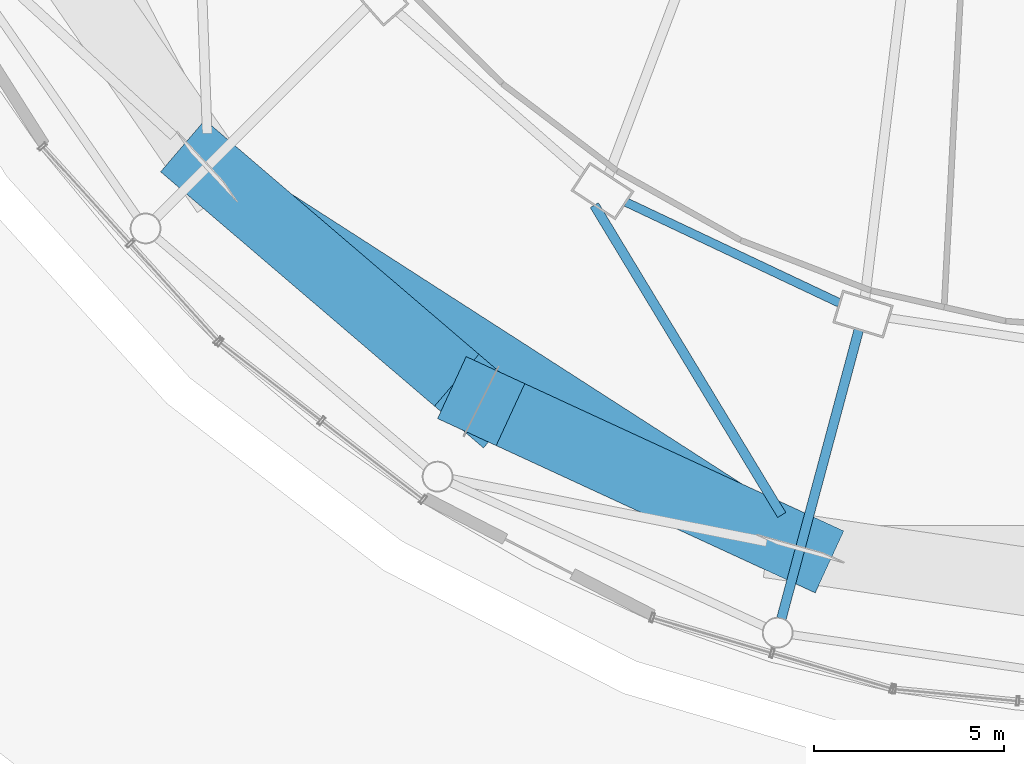
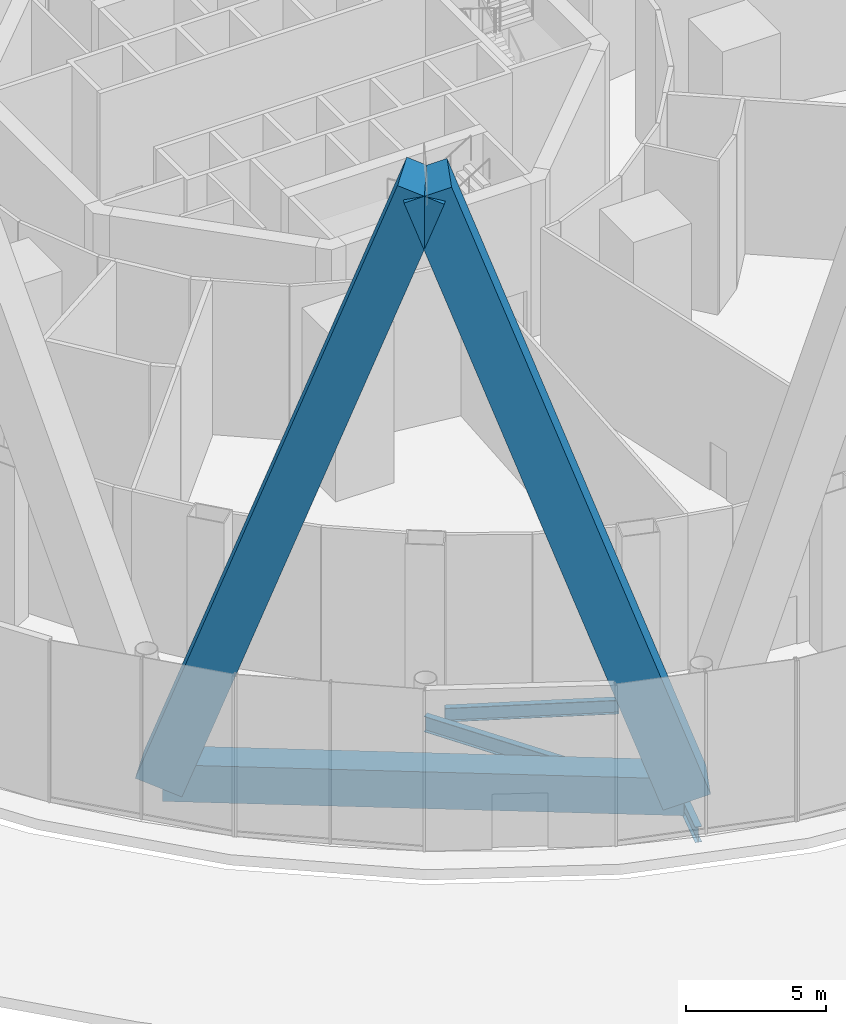
# One storey, part 5 of 67: 3 beams, 3 members.
"""IFC4 building model written with IfcOpenShell, lengths in metres."""

from ifc_helpers import new_model, si_unit, direction, frame, origin, origin_2d, place, context, subcontext, project, spatial, rectangle, i_section, extrude, material, material_profile, profile_set, type_object, element, save


model = new_model("IFC4")

# Units and contexts
model_context = context("Model", 3, precision=1e-05, world=origin(), true_north=direction((0.0, 1.0)))
body_context = subcontext(model_context, "Body", "Model", "MODEL_VIEW")
ifc_project = project(units=[si_unit("LENGTHUNIT", "METRE"), si_unit("AREAUNIT", "SQUARE_METRE"), si_unit("VOLUMEUNIT", "CUBIC_METRE"), si_unit("PLANEANGLEUNIT", "RADIAN"), si_unit("MASSUNIT", "GRAM", prefix="KILO")], contexts=[model_context])

# Site, building, storey
site_placement = place(None, origin())
site = spatial("IfcSite", under=ifc_project, at=site_placement, CompositionType="ELEMENT")
building_placement = place(site_placement, origin())
building = spatial("IfcBuilding", under=site, at=building_placement, Name="Nagisa Residences", CompositionType="ELEMENT")
storey_placement = place(building_placement, origin())
storey = spatial("IfcBuildingStorey", under=building, at=storey_placement, Name="L00", CompositionType="ELEMENT", Elevation=0.0)

# Beams
ifc_material_1 = material(Name="Steel ASTM A572 Gr 50", Category="steel")
ifc_material_profile_1 = material_profile(ifc_material_1, i_section(OverallWidth=0.2529296875, OverallDepth=0.677978515625, WebThickness=0.01171875, FlangeThickness=0.016357421875, at=origin_2d()), Name="W690x125")
ifc_profile_set_1 = profile_set([ifc_material_profile_1], Name="Steel ASTM A572 Gr 50")
beam_type_1 = type_object("IfcBeamType", Name="Atrium outer beam W690x125", PredefinedType="BEAM", material=ifc_profile_set_1)
beam_1_placement = place(storey_placement, frame((-10.865478515625, -28.518798828125, -0.739013671875), z_axis=(0.517608225474, -0.855617744628, 0.0), x_axis=(0.855617744628, 0.517608225474, 0.0)))
element("IfcBeam", 1, at=beam_1_placement, inside=storey, type_object=beam_type_1, Name="beam:L00:er17a", PredefinedType="BEAM", context=body_context, shape_type="SweptSolid", body=[
    extrude(i_section(OverallWidth=0.2529296875, OverallDepth=0.677978515625, WebThickness=0.01171875, FlangeThickness=0.016357421875, at=origin_2d()), origin(), (0.0, 0.0, 1.0), 9.55224609375),
])
beam_2_placement = place(storey_placement, frame((-3.8876953125, -31.80810546875, -0.739013671875), z_axis=(-0.258809356376, -0.965928422324, 0.0), x_axis=(0.965928422324, -0.258809356376, 0.0)))
element("IfcBeam", 2, at=beam_2_placement, inside=storey, type_object=beam_type_1, Name="beam:L00:er18", PredefinedType="BEAM", context=body_context, shape_type="SweptSolid", body=[
    extrude(i_section(OverallWidth=0.2529296875, OverallDepth=0.677978515625, WebThickness=0.01171875, FlangeThickness=0.016357421875, at=origin_2d()), origin(), (0.0, 0.0, 1.0), 7.88330078125),
])

# Members
ifc_material_2 = material(Name="Concrete C80", Category="concrete")
ifc_material_profile_2 = material_profile(ifc_material_2, rectangle(XDim=1.800048828125, YDim=1.800048828125, at=origin_2d()), Name="C80 1800x1800")
ifc_profile_set_2 = profile_set([ifc_material_profile_2], Name="Concrete C80")
member_type_1 = type_object("IfcMemberType", Name="Cage diagonal 1 C80 1800x1800", PredefinedType="BRACE", material=ifc_profile_set_2)
member_1_placement = place(storey_placement, frame((-21.078125, -27.50634765625, 0.0), z_axis=(0.252496339518, -0.215960018553, 0.943189731134), x_axis=(0.649983497444, 0.759948322618, 0.0)))
element("IfcMember", 3, at=member_1_placement, inside=storey, type_object=member_type_1, Name="mem:L00:cg1d016", PredefinedType="BRACE", context=body_context, shape_type="SweptSolid", body=[
    extrude(rectangle(XDim=1.800048828125, YDim=1.800048828125, at=origin_2d()), origin(), (0.0, 0.0, 1.0), 28.626220703125),
])
member_2_placement = place(storey_placement, frame((-5.432861328125, -37.574462890625, 0.0), z_axis=(-0.294851836473, 0.136124276507, 0.945797322831), x_axis=(-0.419156702322, -0.907913905004, 0.0)))
element("IfcMember", 4, at=member_2_placement, inside=storey, type_object=member_type_1, Name="mem:L00:cg1d017", PredefinedType="BRACE", context=body_context, shape_type="SweptSolid", body=[
    extrude(rectangle(XDim=1.800048828125, YDim=1.800048828125, at=origin_2d()), origin(), (0.0, 0.0, 1.0), 28.54736328125),
])
ifc_material_3 = material(Name="Concrete C80", Category="concrete")
ifc_material_profile_3 = material_profile(ifc_material_3, rectangle(XDim=1.199951171875, YDim=1.60009765625, at=origin_2d()), Name="C80 1200x1600")
ifc_profile_set_3 = profile_set([ifc_material_profile_3], Name="Concrete C80")
member_type_2 = type_object("IfcMemberType", Name="Cage ring 1 C80 1200x1600", PredefinedType="CHORD", material=ifc_profile_set_3)
member_3_placement = place(storey_placement, frame((-21.078125, -27.50634765625, 0.0), z_axis=(0.840922992113, -0.541154803485, 0.0), x_axis=(0.541154803485, 0.840922992113, 0.0)))
element("IfcMember", 5, at=member_3_placement, inside=storey, type_object=member_type_2, Name="beam:L00:cg1r008", PredefinedType="CHORD", context=body_context, shape_type="SweptSolid", body=[
    extrude(rectangle(XDim=1.199951171875, YDim=1.60009765625, at=origin_2d()), origin(), (0.0, 0.0, 1.0), 18.60498046875),
])

# Beam
ifc_material_4 = material(Name="Steel ASTM A572 Gr 50", Category="steel")
ifc_material_profile_4 = material_profile(ifc_material_4, i_section(OverallWidth=0.22802734375, OverallDepth=0.60302734375, WebThickness=0.010498046875, FlangeThickness=0.014892578125, at=origin_2d()), Name="W610x101")
ifc_profile_set_4 = profile_set([ifc_material_profile_4], Name="Steel ASTM A572 Gr 50")
beam_type_2 = type_object("IfcBeamType", Name="Perimeter ring beam W610x101", PredefinedType="BEAM", material=ifc_profile_set_4)
beam_3_placement = place(storey_placement, frame((-10.02880859375, -28.439208984375, -0.701416015625), z_axis=(0.904208275867, -0.427091786216, 0.0), x_axis=(0.427091786216, 0.904208275867, 0.0)))
element("IfcBeam", 6, at=beam_3_placement, inside=storey, type_object=beam_type_2, Name="beam:L00:pb17", PredefinedType="BEAM", context=body_context, shape_type="SweptSolid", body=[
    extrude(i_section(OverallWidth=0.22802734375, OverallDepth=0.60302734375, WebThickness=0.010498046875, FlangeThickness=0.014892578125, at=origin_2d()), origin(), (0.0, 0.0, 1.0), 6.227294921875),
])

save(model, "model.ifc")
